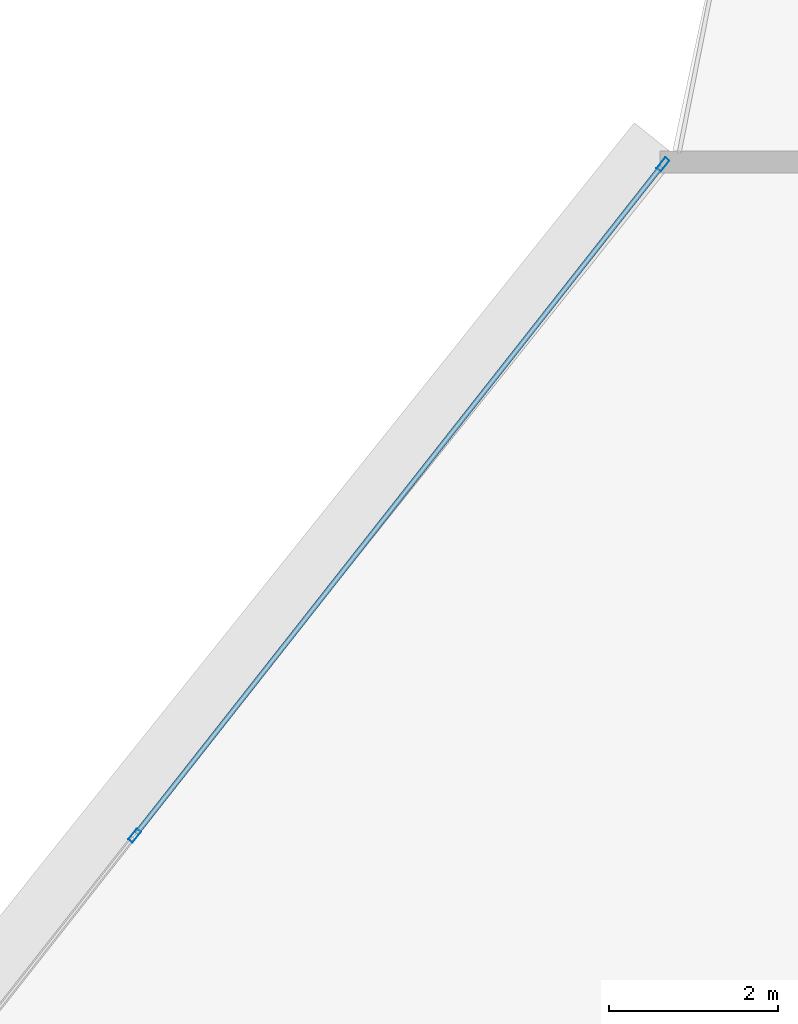
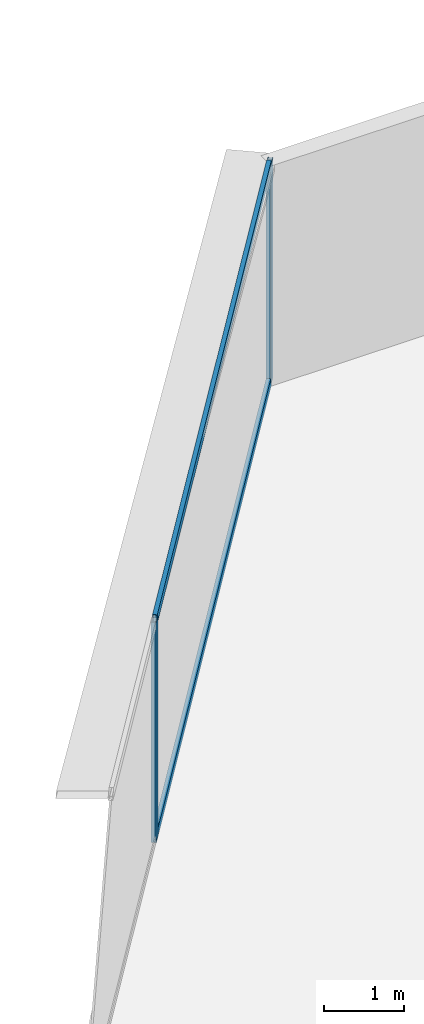
# One storey, part 27 of 42: 4 members, 1 element without a shape of its own.
"""IFC4 building model written with IfcOpenShell, lengths in metres."""

from ifc_helpers import new_model, si_unit, direction, frame, origin, origin_2d, place, context, subcontext, project, spatial, hollow_rectangle, extrude, source, transform, mapped, material, layer, layer_set, material_profile, profile_set, type_object, element, aggregate, save


model = new_model("IFC4")

# Units and contexts
model_context = context("Model", 3, precision=1e-05, world=origin(), true_north=direction((0.0, 1.0)))
body_context = subcontext(model_context, "Body", "Model", "MODEL_VIEW")
ifc_project = project(units=[si_unit("LENGTHUNIT", "METRE"), si_unit("AREAUNIT", "SQUARE_METRE"), si_unit("VOLUMEUNIT", "CUBIC_METRE"), si_unit("PLANEANGLEUNIT", "RADIAN"), si_unit("MASSUNIT", "GRAM", prefix="KILO"), si_unit("THERMODYNAMICTEMPERATUREUNIT", "KELVIN"), si_unit("POWERUNIT", "WATT")], contexts=[model_context])

# Site, building, storey
site_placement = place(None, origin())
site = spatial("IfcSite", under=ifc_project, at=site_placement, CompositionType="ELEMENT")
building_placement = place(site_placement, origin())
building = spatial("IfcBuilding", under=site, at=building_placement, Name="Yunzhuo Pagoda Commons", CompositionType="ELEMENT")
storey_placement = place(building_placement, frame((0.0, 0.0, 48.550048828125)))
storey = spatial("IfcBuildingStorey", under=building, at=storey_placement, Name="L12", CompositionType="ELEMENT", Elevation=48.550048828125)

# Curtain wall, members
ifc_material = material(Name="Anodized aluminium 6063-T6", Category="aluminium")
ifc_layer = layer(ifc_material, 0.1650390625)
ifc_layer_set = layer_set([ifc_layer], Name="Anodized aluminium 6063-T6")
curtain_wall_type = type_object("IfcCurtainWallType", Name="CW-LOW Low-Zone Ribbon Curtain Wall", PredefinedType="NOTDEFINED", material=ifc_layer_set)
curtain_wall_placement = place(storey_placement, origin())
curtain_wall = element("IfcCurtainWall", 1, at=curtain_wall_placement, inside=storey, type_object=curtain_wall_type, Name="L12 curtain wall CW-L12-F3B1", PredefinedType="NOTDEFINED")
ifc_material_profile_1 = material_profile(ifc_material, hollow_rectangle(XDim=0.06494140625, YDim=0.1650390625, WallThickness=0.00390625, at=origin_2d()), Name="Anodized aluminium 6063-T6")
ifc_profile_set_1 = profile_set([ifc_material_profile_1], Name="Anodized aluminium 6063-T6")
member_type_1 = type_object("IfcMemberType", Name="CW-LOW-M Mullion RHS 165x65x4", PredefinedType="MULLION", material=ifc_profile_set_1)
shared_shape_1 = source(origin(), body_context, "Body", "SweptSolid", [
    extrude(hollow_rectangle(XDim=0.06494140625, YDim=0.1650390625, WallThickness=0.00390625, at=origin_2d()), origin(), (0.0, 0.0, 1.0), 3.369873046875),
])
member_1_placement = place(storey_placement, frame((43.26171875, 88.5400390625, 0.0), z_axis=(0.0, 0.0, 1.0), x_axis=(0.785883026265, -0.61837518468, 0.0)))
member_1 = element("IfcMember", 2, at=member_1_placement, type_object=member_type_1, Name="CW mullion 1", PredefinedType="MULLION", context=body_context, shape_type="MappedRepresentation", body=[
    mapped(shared_shape_1, transform((0.0, 0.0, 0.0), scale=1.0)),
])
member_2_placement = place(storey_placement, frame((37.011474609375, 80.5966796875, 0.0), z_axis=(0.0, 0.0, 1.0), x_axis=(0.785883026265, -0.61837518468, 0.0)))
member_2 = element("IfcMember", 3, at=member_2_placement, type_object=member_type_1, Name="CW mullion 2", PredefinedType="MULLION", context=body_context, shape_type="MappedRepresentation", body=[
    mapped(shared_shape_1, transform((0.0, 0.0, 0.0), scale=1.0)),
])
ifc_material_profile_2 = material_profile(ifc_material, hollow_rectangle(XDim=0.06005859375, YDim=0.139892578125, WallThickness=0.00341796875, at=origin_2d()), Name="Anodized aluminium 6063-T6")
ifc_profile_set_2 = profile_set([ifc_material_profile_2], Name="Anodized aluminium 6063-T6")
member_type_2 = type_object("IfcMemberType", Name="CW-LOW-T Transom RHS 140x60x3.5", PredefinedType="USERDEFINED", material=ifc_profile_set_2)
shared_shape_2 = source(origin(), body_context, "Body", "SweptSolid", [
    extrude(hollow_rectangle(XDim=0.06005859375, YDim=0.139892578125, WallThickness=0.00341796875, at=origin_2d()), origin(), (0.0, 0.0, 1.0), 10.04248046875),
])
member_3_placement = place(storey_placement, frame((43.241455078125, 88.514404296875, 0.030029296875), z_axis=(-0.618365747767, -0.785890451646, 0.0), x_axis=(0.785890451646, -0.618365747767, 0.0)))
member_3 = element("IfcMember", 4, at=member_3_placement, type_object=member_type_2, Name="CW transom 1.1", ObjectType="TRANSOM", PredefinedType="USERDEFINED", context=body_context, shape_type="MappedRepresentation", body=[
    mapped(shared_shape_2, transform((0.0, 0.0, 0.0), scale=1.0)),
])
member_4_placement = place(storey_placement, frame((43.241455078125, 88.514404296875, 3.33984375), z_axis=(-0.618365747767, -0.785890451646, 0.0), x_axis=(0.785890451646, -0.618365747767, 0.0)))
member_4 = element("IfcMember", 5, at=member_4_placement, type_object=member_type_2, Name="CW transom 1.2", ObjectType="TRANSOM", PredefinedType="USERDEFINED", context=body_context, shape_type="MappedRepresentation", body=[
    mapped(shared_shape_2, transform((0.0, 0.0, 0.0), scale=1.0)),
])
aggregate(curtain_wall, [member_1, member_2, member_3, member_4])

save(model, "model.ifc")
